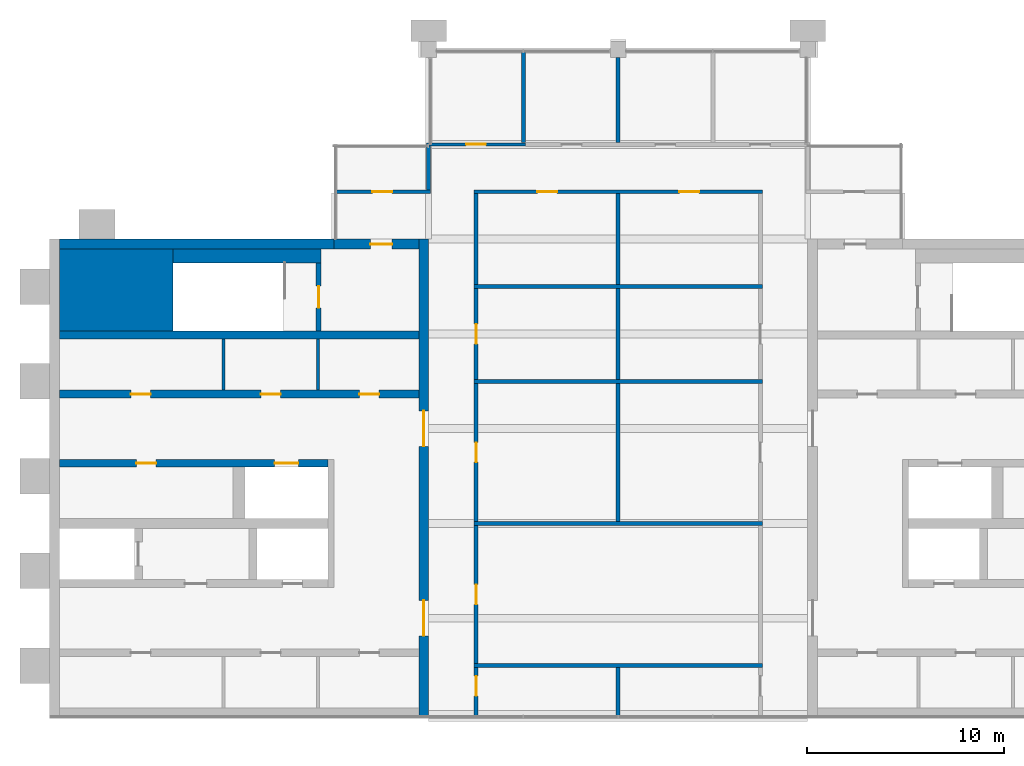
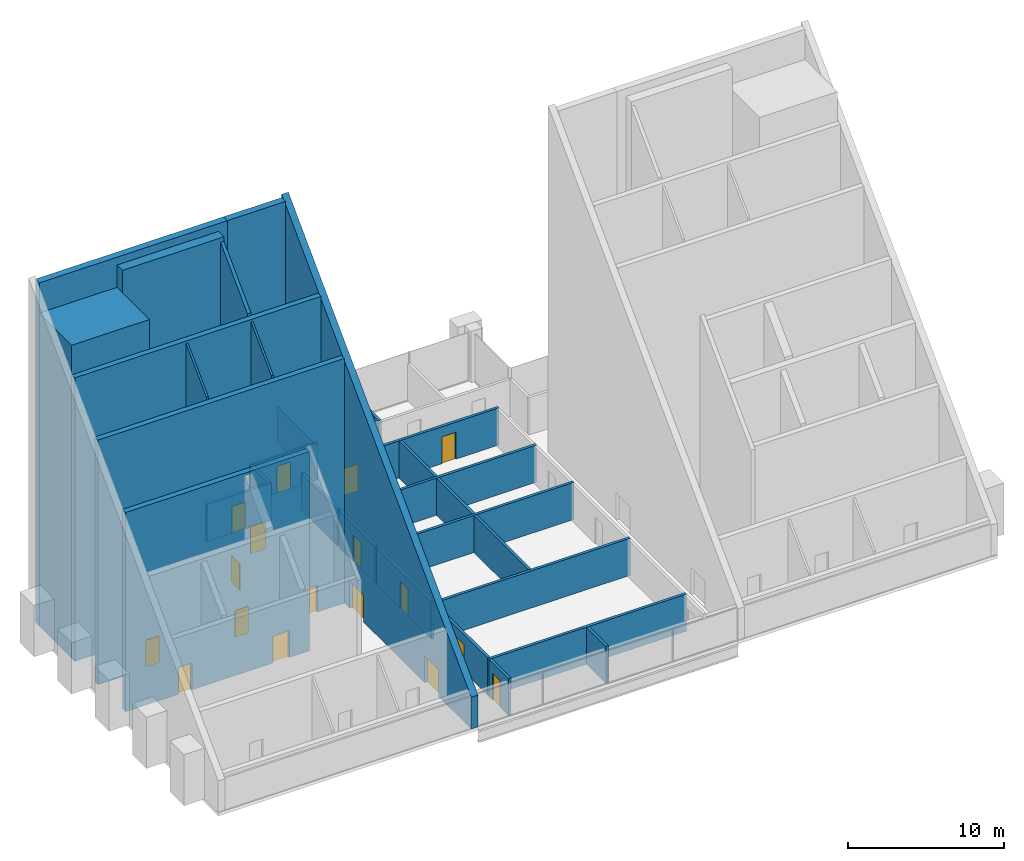
# One storey, part 9 of 12: 30 walls, 17 doors, 17 openings.
"""IFC4 building model written with IfcOpenShell, lengths in metres."""

from ifc_helpers import new_model, si_unit, direction, frame, frame_2d, origin, place, context, subcontext, project, spatial, polyline, rectangle, outline, extrude, material, layer, layer_set, type_object, element, fill, save


model = new_model("IFC4")

# Units and contexts
model_context = context("Model", 3, precision=1e-05, world=origin(), true_north=direction((0.0, 1.0)))
body_context = subcontext(model_context, "Body", "Model", "MODEL_VIEW")
ifc_project = project(units=[si_unit("LENGTHUNIT", "METRE"), si_unit("AREAUNIT", "SQUARE_METRE"), si_unit("VOLUMEUNIT", "CUBIC_METRE"), si_unit("PLANEANGLEUNIT", "RADIAN"), si_unit("MASSUNIT", "GRAM", prefix="KILO")], contexts=[model_context])

# Site, building, storey
site_placement = place(None, origin())
site = spatial("IfcSite", under=ifc_project, at=site_placement, CompositionType="ELEMENT")
building_placement = place(site_placement, origin())
building = spatial("IfcBuilding", under=site, at=building_placement, Name="Baori Bourse Tower", CompositionType="ELEMENT")
storey_placement = place(building_placement, frame((0.0, 0.0, 374.300048828125)))
storey = spatial("IfcBuildingStorey", under=building, at=storey_placement, Name="L84", CompositionType="ELEMENT", Elevation=374.300048828125)

# Walls
ifc_material_1 = material(Name="Concrete f'c 40 MPa", Category="concrete")
wall_type_1 = type_object("IfcWallType", Name="Core corner block f'c 40", PredefinedType="SHEAR", material=ifc_material_1)
wall_1_placement = place(storey_placement, frame((0.5, 35.824951171875, 0.0), z_axis=(0.0, 0.0, 1.0), x_axis=(1.0, 0.0, 0.0)))
element("IfcWall", 1, at=wall_1_placement, inside=storey, type_object=wall_type_1, Name="Core wall W19", PredefinedType="SHEAR", context=body_context, shape_type="SweptSolid", body=[
    extrude(outline(polyline([(0.0, 0.0), (5.75, 0.0), (5.75, 24.460205078125), (0.0, 24.460205078125), (0.0, 0.0)])), frame((0.0, 2.074951171875, 0.0), z_axis=(0.0, -1.0, 0.0), x_axis=(1.0, 0.0, 0.0)), (0.0, 0.0, 1.0), 4.14990234375),
])
ifc_material_2 = material(Name="Blockwork partition", Category="masonry")
ifc_layer_1 = layer(ifc_material_2, 0.14990234375)
ifc_layer_set_1 = layer_set([ifc_layer_1], Name="Core partition 150")
wall_type_2 = type_object("IfcWallType", Name="Core partition 150", PredefinedType="PARTITIONING", material=ifc_layer_set_1)
for number, where, z_axis, x_axis, name in (
    (2, (8.800048828125, 30.75, 0.0), (0.0, 0.0, 1.0), (0.0, 1.0, 0.0), "Partition wall W16"),
    (3, (13.60009765625, 30.75, 0.0), (0.0, 0.0, 1.0), (0.0, 1.0, 0.0), "Partition wall W17"),
):
    element("IfcWall", number, at=place(storey_placement, frame(where, z_axis=z_axis, x_axis=x_axis)), inside=storey, type_object=wall_type_2, Name=name, PredefinedType="PARTITIONING", context=body_context, shape_type="SweptSolid", body=[
        extrude(outline(polyline([(0.0, 0.0), (2.60009765625, 0.0), (2.60009765625, 21.954345703125), (0.0, 19.32177734375), (0.0, 0.0)])), frame((0.0, 0.074951171875, 0.0), z_axis=(0.0, -1.0, 0.0), x_axis=(1.0, 0.0, 0.0)), (0.0, 0.0, 1.0), 0.14990234375),
    ])

# Wall, openings, doors
ifc_material_3 = material(Name="Concrete f'c 40 MPa", Category="concrete")
ifc_layer_2 = layer(ifc_material_3, 0.5)
ifc_layer_set_2 = layer_set([ifc_layer_2], Name="Core wall 500 f'c 40")
wall_type_3 = type_object("IfcWallType", Name="Core wall 500 f'c 40", PredefinedType="SHEAR", material=ifc_layer_set_2)
wall_2_placement = place(storey_placement, frame((18.949951171875, 38.39990234375, 0.0), z_axis=(0.0, 0.0, 1.0), x_axis=(0.0, -1.0, 0.0)))
wall_2 = element("IfcWall", 4, at=wall_2_placement, inside=storey, type_object=wall_type_3, Name="Core wall W03", PredefinedType="SHEAR", context=body_context, shape_type="SweptSolid", body=[
    extrude(outline(polyline([(0.0, 0.0), (24.2763671875, 0.0), (24.276611328125, 2.487548828125), (0.0, 27.0673828125), (0.0, 0.0)])), frame((0.0, 0.25, 0.0), z_axis=(0.0, -1.0, 0.0), x_axis=(1.0, 0.0, 0.0)), (0.0, 0.0, 1.0), 0.5),
])
opening_1_placement = place(wall_2_placement, frame((18.300048828125, 0.0, 0.0)))
opening_1 = element("IfcOpeningElement", 5, at=opening_1_placement, cuts=wall_2, Name="Opening L84-D105", PredefinedType="OPENING", context=body_context, shape_type="SweptSolid", body=[
    extrude(rectangle(XDim=1.800048828125, YDim=2.10009765625, at=frame_2d((0.89990234375, 1.050048828125))), frame((0.0, 0.260009765625, 0.0), z_axis=(0.0, -1.0, 0.0), x_axis=(1.0, 0.0, 0.0)), (0.0, 0.0, 1.0), 0.52001953125),
])
opening_2_placement = place(wall_2_placement, frame((8.699951171875, 0.0, 0.0)))
opening_2 = element("IfcOpeningElement", 6, at=opening_2_placement, cuts=wall_2, Name="Opening L84-D106", PredefinedType="OPENING", context=body_context, shape_type="SweptSolid", body=[
    extrude(rectangle(XDim=1.800048828125, YDim=2.10009765625, at=frame_2d((0.89990234375, 1.050048828125))), frame((0.0, 0.260009765625, 0.0), z_axis=(0.0, -1.0, 0.0), x_axis=(1.0, 0.0, 0.0)), (0.0, 0.0, 1.0), 0.52001953125),
])
ifc_material_4 = material(Name="Painted steel door", Category="steel")
door_type_1 = type_object("IfcDoorType", Name="Core lobby door 1800", OperationType="DOUBLE_DOOR_SINGLE_SWING", PredefinedType="DOOR", material=ifc_material_4)
door_1_placement = place(opening_1_placement, origin())
door_1 = element("IfcDoor", 7, at=door_1_placement, inside=storey, type_object=door_type_1, Name="Lobby door W L84", OperationType="DOUBLE_DOOR_SINGLE_SWING", OverallHeight=2.10009765625, OverallWidth=1.800048828125, PredefinedType="DOOR", context=body_context, shape_type="SweptSolid", body=[
    extrude(rectangle(XDim=1.800048828125, YDim=2.10009765625, at=frame_2d((0.89990234375, 1.050048828125))), frame((0.0, 0.02490234375, 0.0), z_axis=(0.0, -1.0, 0.0), x_axis=(1.0, 0.0, 0.0)), (0.0, 0.0, 1.0), 0.050048828125),
])
fill(opening_1, door_1)
door_2_placement = place(opening_2_placement, origin())
door_2 = element("IfcDoor", 8, at=door_2_placement, inside=storey, type_object=door_type_1, Name="Lobby door W L84", OperationType="DOUBLE_DOOR_SINGLE_SWING", OverallHeight=2.10009765625, OverallWidth=1.800048828125, PredefinedType="DOOR", context=body_context, shape_type="SweptSolid", body=[
    extrude(rectangle(XDim=1.800048828125, YDim=2.10009765625, at=frame_2d((0.89990234375, 1.050048828125))), frame((0.0, 0.02490234375, 0.0), z_axis=(0.0, -1.0, 0.0), x_axis=(1.0, 0.0, 0.0)), (0.0, 0.0, 1.0), 0.050048828125),
])
fill(opening_2, door_2)

# Wall
wall_3_placement = place(storey_placement, frame((0.5, 38.14990234375, 0.0), z_axis=(0.0, 0.0, 1.0), x_axis=(1.0, 0.0, 0.0)))
element("IfcWall", 9, at=wall_3_placement, inside=storey, type_object=wall_type_3, Name="Core wall W22", PredefinedType="SHEAR", context=body_context, shape_type="SweptSolid", body=[
    extrude(outline(polyline([(0.0, 0.0), (13.89990234375, 0.0), (13.89990234375, 26.814208984375), (0.0, 26.814208984375), (0.0, 0.0)])), frame((0.0, 0.25, 0.0), z_axis=(0.0, -1.0, 0.0), x_axis=(1.0, 0.0, 0.0)), (0.0, 0.0, 1.0), 0.5),
])

# Wall, opening, door
wall_4_placement = place(storey_placement, frame((14.39990234375, 38.14990234375, 0.0), z_axis=(0.0, 0.0, 1.0), x_axis=(1.0, 0.0, 0.0)))
wall_4 = element("IfcWall", 10, at=wall_4_placement, inside=storey, type_object=wall_type_3, Name="Core wall W23", PredefinedType="SHEAR", context=body_context, shape_type="SweptSolid", body=[
    extrude(outline(polyline([(0.0, 0.0), (4.300048828125, 0.0), (4.300048828125, 26.814208984375), (0.0, 26.814208984375), (0.0, 0.0)])), frame((0.0, 0.25, 0.0), z_axis=(0.0, -1.0, 0.0), x_axis=(1.0, 0.0, 0.0)), (0.0, 0.0, 1.0), 0.5),
])
opening_3_placement = place(wall_4_placement, frame((1.85009765625, 0.0, 0.0)))
opening_3 = element("IfcOpeningElement", 11, at=opening_3_placement, cuts=wall_4, Name="Opening L84-D102", PredefinedType="OPENING", context=body_context, shape_type="SweptSolid", body=[
    extrude(rectangle(XDim=1.10009765625, YDim=2.10009765625, at=frame_2d((0.550048828125, 1.050048828125))), frame((0.0, 0.260009765625, 0.0), z_axis=(0.0, -1.0, 0.0), x_axis=(1.0, 0.0, 0.0)), (0.0, 0.0, 1.0), 0.52001953125),
])
ifc_material_5 = material(Name="Painted steel door", Category="steel")
door_type_2 = type_object("IfcDoorType", Name="Stair door 1100", OperationType="SINGLE_SWING_LEFT", PredefinedType="DOOR", material=ifc_material_5)
door_3_placement = place(opening_3_placement, origin())
door_3 = element("IfcDoor", 12, at=door_3_placement, inside=storey, type_object=door_type_2, Name="Stair vestibule door B W L84", OperationType="SINGLE_SWING_LEFT", OverallHeight=2.10009765625, OverallWidth=1.10009765625, PredefinedType="DOOR", context=body_context, shape_type="SweptSolid", body=[
    extrude(rectangle(XDim=1.10009765625, YDim=2.10009765625, at=frame_2d((0.550048828125, 1.050048828125))), frame((0.0, 0.02490234375, 0.0), z_axis=(0.0, -1.0, 0.0), x_axis=(1.0, 0.0, 0.0)), (0.0, 0.0, 1.0), 0.050048828125),
])
fill(opening_3, door_3)

ifc_material_6 = material(Name="Gypsum board partition")
ifc_layer_3 = layer(ifc_material_6, 0.14990234375)
ifc_layer_set_3 = layer_set([ifc_layer_3], Name="Corridor partition 150")
wall_type_4 = type_object("IfcWallType", Name="Corridor partition 150", PredefinedType="PARTITIONING", material=ifc_layer_set_3)
wall_5_placement = place(storey_placement, frame((19.10009765625, 43.199951171875, 0.0), z_axis=(0.0, 0.0, 1.0), x_axis=(1.0, 0.0, 0.0)))
wall_5 = element("IfcWall", 13, at=wall_5_placement, inside=storey, type_object=wall_type_4, Name="Partition", PredefinedType="PARTITIONING", context=body_context, shape_type="SweptSolid", body=[
    extrude(rectangle(XDim=5.0, YDim=0.14990234375, at=frame_2d((2.5, 0.0))), origin(), (0.0, 0.0, 1.0), 2.89990234375),
])
opening_4_placement = place(wall_5_placement, frame((2.0, 0.0, 0.0)))
opening_4 = element("IfcOpeningElement", 14, at=opening_4_placement, cuts=wall_5, Name="Opening L84-D05", PredefinedType="OPENING", context=body_context, shape_type="SweptSolid", body=[
    extrude(rectangle(XDim=1.0, YDim=2.10009765625, at=frame_2d((0.5, 1.050048828125))), frame((0.0, 0.0849609375, 0.0), z_axis=(0.0, -1.0, 0.0), x_axis=(1.0, 0.0, 0.0)), (0.0, 0.0, 1.0), 0.169921875),
])
ifc_material_7 = material(Name="Timber door leaf", Category="wood")
door_type_3 = type_object("IfcDoorType", Name="Door 1000 x 2100", OperationType="SINGLE_SWING_LEFT", PredefinedType="DOOR", material=ifc_material_7)
door_4_placement = place(opening_4_placement, origin())
door_4 = element("IfcDoor", 15, at=door_4_placement, inside=storey, type_object=door_type_3, Name="Door", OperationType="SINGLE_SWING_RIGHT", OverallHeight=2.10009765625, OverallWidth=1.0, PredefinedType="DOOR", context=body_context, shape_type="SweptSolid", body=[
    extrude(rectangle(XDim=1.0, YDim=2.10009765625, at=frame_2d((0.5, 1.050048828125))), frame((0.0, 0.02490234375, 0.0), z_axis=(0.0, -1.0, 0.0), x_axis=(1.0, 0.0, 0.0)), (0.0, 0.0, 1.0), 0.050048828125),
])
fill(opening_4, door_4)

# Walls
ifc_material_8 = material(Name="Gypsum board partition")
ifc_layer_4 = layer(ifc_material_8, 0.199951171875)
ifc_layer_set_4 = layer_set([ifc_layer_4], Name="Plant room wall 200")
wall_type_5 = type_object("IfcWallType", Name="Plant room wall 200", PredefinedType="PARTITIONING", material=ifc_layer_set_4)
for number, where, z_axis, x_axis, name in (
    (16, (21.5, 16.800048828125, 0.0), (0.0, 0.0, 1.0), (1.0, 0.0, 0.0), "Partition"),
    (17, (21.5, 24.0, 0.0), (0.0, 0.0, 1.0), (1.0, 0.0, 0.0), "Partition"),
    (18, (21.5, 31.199951171875, 0.0), (0.0, 0.0, 1.0), (1.0, 0.0, 0.0), "Partition"),
    (19, (21.5, 36.0, 0.0), (0.0, 0.0, 1.0), (1.0, 0.0, 0.0), "Partition"),
):
    element("IfcWall", number, at=place(storey_placement, frame(where, z_axis=z_axis, x_axis=x_axis)), inside=storey, type_object=wall_type_5, Name=name, PredefinedType="PARTITIONING", context=body_context, shape_type="SweptSolid", body=[
        extrude(rectangle(XDim=14.60009765625, YDim=0.199951171875, at=frame_2d((7.300048828125, 0.0))), origin(), (0.0, 0.0, 1.0), 2.89990234375),
    ])

# Wall, opening, door
wall_6_placement = place(storey_placement, frame((14.5, 40.800048828125, 0.0), z_axis=(0.0, 0.0, 1.0), x_axis=(1.0, 0.0, 0.0)))
wall_6 = element("IfcWall", 20, at=wall_6_placement, inside=storey, type_object=wall_type_5, Name="Partition", PredefinedType="PARTITIONING", context=body_context, shape_type="SweptSolid", body=[
    extrude(rectangle(XDim=4.800048828125, YDim=0.199951171875, at=frame_2d((2.39990234375, 0.0))), origin(), (0.0, 0.0, 1.0), 2.89990234375),
])
opening_5_placement = place(wall_6_placement, frame((1.85009765625, 0.0, 0.0)))
opening_5 = element("IfcOpeningElement", 21, at=opening_5_placement, cuts=wall_6, Name="Opening L84-D01", PredefinedType="OPENING", context=body_context, shape_type="SweptSolid", body=[
    extrude(rectangle(XDim=1.0, YDim=2.10009765625, at=frame_2d((0.5, 1.050048828125))), frame((0.0, 0.10986328125, 0.0), z_axis=(0.0, -1.0, 0.0), x_axis=(1.0, 0.0, 0.0)), (0.0, 0.0, 1.0), 0.219970703125),
])
door_5_placement = place(opening_5_placement, origin())
door_5 = element("IfcDoor", 22, at=door_5_placement, inside=storey, type_object=door_type_3, Name="Door", OperationType="SINGLE_SWING_RIGHT", OverallHeight=2.10009765625, OverallWidth=1.0, PredefinedType="DOOR", context=body_context, shape_type="SweptSolid", body=[
    extrude(rectangle(XDim=1.0, YDim=2.10009765625, at=frame_2d((0.5, 1.050048828125))), frame((0.0, 0.02490234375, 0.0), z_axis=(0.0, -1.0, 0.0), x_axis=(1.0, 0.0, 0.0)), (0.0, 0.0, 1.0), 0.050048828125),
])
fill(opening_5, door_5)

# Wall, openings, doors
wall_7_placement = place(storey_placement, frame((21.5, 40.800048828125, 0.0), z_axis=(0.0, 0.0, 1.0), x_axis=(1.0, 0.0, 0.0)))
wall_7 = element("IfcWall", 23, at=wall_7_placement, inside=storey, type_object=wall_type_5, Name="Partition", PredefinedType="PARTITIONING", context=body_context, shape_type="SweptSolid", body=[
    extrude(rectangle(XDim=14.60009765625, YDim=0.199951171875, at=frame_2d((7.300048828125, 0.0))), origin(), (0.0, 0.0, 1.0), 2.89990234375),
])
opening_6_placement = place(wall_7_placement, frame((3.199951171875, 0.0, 0.0)))
opening_6 = element("IfcOpeningElement", 24, at=opening_6_placement, cuts=wall_7, Name="Opening L84-D02", PredefinedType="OPENING", context=body_context, shape_type="SweptSolid", body=[
    extrude(rectangle(XDim=1.0, YDim=2.10009765625, at=frame_2d((0.5, 1.050048828125))), frame((0.0, 0.10986328125, 0.0), z_axis=(0.0, -1.0, 0.0), x_axis=(1.0, 0.0, 0.0)), (0.0, 0.0, 1.0), 0.219970703125),
])
opening_7_placement = place(wall_7_placement, frame((10.39990234375, 0.0, 0.0)))
opening_7 = element("IfcOpeningElement", 25, at=opening_7_placement, cuts=wall_7, Name="Opening L84-D03", PredefinedType="OPENING", context=body_context, shape_type="SweptSolid", body=[
    extrude(rectangle(XDim=1.0, YDim=2.10009765625, at=frame_2d((0.5, 1.050048828125))), frame((0.0, 0.10986328125, 0.0), z_axis=(0.0, -1.0, 0.0), x_axis=(1.0, 0.0, 0.0)), (0.0, 0.0, 1.0), 0.219970703125),
])
door_6_placement = place(opening_6_placement, origin())
door_6 = element("IfcDoor", 26, at=door_6_placement, inside=storey, type_object=door_type_3, Name="Door", OperationType="SINGLE_SWING_LEFT", OverallHeight=2.10009765625, OverallWidth=1.0, PredefinedType="DOOR", context=body_context, shape_type="SweptSolid", body=[
    extrude(rectangle(XDim=1.0, YDim=2.10009765625, at=frame_2d((0.5, 1.050048828125))), frame((0.0, 0.02490234375, 0.0), z_axis=(0.0, -1.0, 0.0), x_axis=(1.0, 0.0, 0.0)), (0.0, 0.0, 1.0), 0.050048828125),
])
fill(opening_6, door_6)
door_7_placement = place(opening_7_placement, origin())
door_7 = element("IfcDoor", 27, at=door_7_placement, inside=storey, type_object=door_type_3, Name="Door", OperationType="SINGLE_SWING_RIGHT", OverallHeight=2.10009765625, OverallWidth=1.0, PredefinedType="DOOR", context=body_context, shape_type="SweptSolid", body=[
    extrude(rectangle(XDim=1.0, YDim=2.10009765625, at=frame_2d((0.5, 1.050048828125))), frame((0.0, 0.02490234375, 0.0), z_axis=(0.0, -1.0, 0.0), x_axis=(1.0, 0.0, 0.0)), (0.0, 0.0, 1.0), 0.050048828125),
])
fill(opening_7, door_7)

# Wall
wall_8_placement = place(storey_placement, frame((19.199951171875, 40.89990234375, 0.0), z_axis=(0.0, 0.0, 1.0), x_axis=(0.0, 1.0, 0.0)))
element("IfcWall", 28, at=wall_8_placement, inside=storey, type_object=wall_type_5, Name="Partition", PredefinedType="PARTITIONING", context=body_context, shape_type="SweptSolid", body=[
    extrude(rectangle(XDim=2.22509765625, YDim=0.199951171875, at=frame_2d((1.112548828125, 0.0))), origin(), (0.0, 0.0, 1.0), 2.89990234375),
])

# Wall, opening, door
wall_9_placement = place(storey_placement, frame((21.60009765625, 14.223388671875, 0.0), z_axis=(0.0, 0.0, 1.0), x_axis=(0.0, 1.0, 0.0)))
wall_9 = element("IfcWall", 29, at=wall_9_placement, inside=storey, type_object=wall_type_5, Name="Partition", PredefinedType="PARTITIONING", context=body_context, shape_type="SweptSolid", body=[
    extrude(rectangle(XDim=2.4765625, YDim=0.199951171875, at=frame_2d((1.23828125, 0.0))), origin(), (0.0, 0.0, 1.0), 2.89990234375),
])
opening_8_placement = place(wall_9_placement, frame((1.038330078125, 0.0, 0.0)))
opening_8 = element("IfcOpeningElement", 30, at=opening_8_placement, cuts=wall_9, Name="Opening L84-D09", PredefinedType="OPENING", context=body_context, shape_type="SweptSolid", body=[
    extrude(rectangle(XDim=1.0, YDim=2.10009765625, at=frame_2d((0.5, 1.050048828125))), frame((0.0, 0.10986328125, 0.0), z_axis=(0.0, -1.0, 0.0), x_axis=(1.0, 0.0, 0.0)), (0.0, 0.0, 1.0), 0.219970703125),
])
door_8_placement = place(opening_8_placement, origin())
door_8 = element("IfcDoor", 31, at=door_8_placement, inside=storey, type_object=door_type_3, Name="Door", OperationType="SINGLE_SWING_RIGHT", OverallHeight=2.10009765625, OverallWidth=1.0, PredefinedType="DOOR", context=body_context, shape_type="SweptSolid", body=[
    extrude(rectangle(XDim=1.0, YDim=2.10009765625, at=frame_2d((0.5, 1.050048828125))), frame((0.0, 0.02490234375, 0.0), z_axis=(0.0, -1.0, 0.0), x_axis=(1.0, 0.0, 0.0)), (0.0, 0.0, 1.0), 0.050048828125),
])
fill(opening_8, door_8)

wall_10_placement = place(storey_placement, frame((21.60009765625, 16.89990234375, 0.0), z_axis=(0.0, 0.0, 1.0), x_axis=(0.0, 1.0, 0.0)))
wall_10 = element("IfcWall", 32, at=wall_10_placement, inside=storey, type_object=wall_type_5, Name="Partition", PredefinedType="PARTITIONING", context=body_context, shape_type="SweptSolid", body=[
    extrude(rectangle(XDim=7.0, YDim=0.199951171875, at=frame_2d((3.5, 0.0))), origin(), (0.0, 0.0, 1.0), 2.89990234375),
])
opening_9_placement = place(wall_10_placement, frame((3.0, 0.0, 0.0)))
opening_9 = element("IfcOpeningElement", 33, at=opening_9_placement, cuts=wall_10, Name="Opening L84-D10", PredefinedType="OPENING", context=body_context, shape_type="SweptSolid", body=[
    extrude(rectangle(XDim=1.0, YDim=2.10009765625, at=frame_2d((0.5, 1.050048828125))), frame((0.0, 0.10986328125, 0.0), z_axis=(0.0, -1.0, 0.0), x_axis=(1.0, 0.0, 0.0)), (0.0, 0.0, 1.0), 0.219970703125),
])
door_9_placement = place(opening_9_placement, origin())
door_9 = element("IfcDoor", 34, at=door_9_placement, inside=storey, type_object=door_type_3, Name="Door", OperationType="SINGLE_SWING_LEFT", OverallHeight=2.10009765625, OverallWidth=1.0, PredefinedType="DOOR", context=body_context, shape_type="SweptSolid", body=[
    extrude(rectangle(XDim=1.0, YDim=2.10009765625, at=frame_2d((0.5, 1.050048828125))), frame((0.0, 0.02490234375, 0.0), z_axis=(0.0, -1.0, 0.0), x_axis=(1.0, 0.0, 0.0)), (0.0, 0.0, 1.0), 0.050048828125),
])
fill(opening_9, door_9)

wall_11_placement = place(storey_placement, frame((21.60009765625, 24.10009765625, 0.0), z_axis=(0.0, 0.0, 1.0), x_axis=(0.0, 1.0, 0.0)))
wall_11 = element("IfcWall", 35, at=wall_11_placement, inside=storey, type_object=wall_type_5, Name="Partition", PredefinedType="PARTITIONING", context=body_context, shape_type="SweptSolid", body=[
    extrude(rectangle(XDim=7.0, YDim=0.199951171875, at=frame_2d((3.5, 0.0))), origin(), (0.0, 0.0, 1.0), 2.89990234375),
])
opening_10_placement = place(wall_11_placement, frame((3.0, 0.0, 0.0)))
opening_10 = element("IfcOpeningElement", 36, at=opening_10_placement, cuts=wall_11, Name="Opening L84-D11", PredefinedType="OPENING", context=body_context, shape_type="SweptSolid", body=[
    extrude(rectangle(XDim=1.0, YDim=2.10009765625, at=frame_2d((0.5, 1.050048828125))), frame((0.0, 0.10986328125, 0.0), z_axis=(0.0, -1.0, 0.0), x_axis=(1.0, 0.0, 0.0)), (0.0, 0.0, 1.0), 0.219970703125),
])
door_10_placement = place(opening_10_placement, origin())
door_10 = element("IfcDoor", 37, at=door_10_placement, inside=storey, type_object=door_type_3, Name="Door", OperationType="SINGLE_SWING_LEFT", OverallHeight=2.10009765625, OverallWidth=1.0, PredefinedType="DOOR", context=body_context, shape_type="SweptSolid", body=[
    extrude(rectangle(XDim=1.0, YDim=2.10009765625, at=frame_2d((0.5, 1.050048828125))), frame((0.0, 0.02490234375, 0.0), z_axis=(0.0, -1.0, 0.0), x_axis=(1.0, 0.0, 0.0)), (0.0, 0.0, 1.0), 0.050048828125),
])
fill(opening_10, door_10)

wall_12_placement = place(storey_placement, frame((21.60009765625, 31.300048828125, 0.0), z_axis=(0.0, 0.0, 1.0), x_axis=(0.0, 1.0, 0.0)))
wall_12 = element("IfcWall", 38, at=wall_12_placement, inside=storey, type_object=wall_type_5, Name="Partition", PredefinedType="PARTITIONING", context=body_context, shape_type="SweptSolid", body=[
    extrude(rectangle(XDim=4.599853515625, YDim=0.199951171875, at=frame_2d((2.2998046875, 0.0))), origin(), (0.0, 0.0, 1.0), 2.89990234375),
])
opening_11_placement = place(wall_12_placement, frame((1.800048828125, 0.0, 0.0)))
opening_11 = element("IfcOpeningElement", 39, at=opening_11_placement, cuts=wall_12, Name="Opening L84-D12", PredefinedType="OPENING", context=body_context, shape_type="SweptSolid", body=[
    extrude(rectangle(XDim=1.0, YDim=2.10009765625, at=frame_2d((0.5, 1.050048828125))), frame((0.0, 0.10986328125, 0.0), z_axis=(0.0, -1.0, 0.0), x_axis=(1.0, 0.0, 0.0)), (0.0, 0.0, 1.0), 0.219970703125),
])
door_11_placement = place(opening_11_placement, origin())
door_11 = element("IfcDoor", 40, at=door_11_placement, inside=storey, type_object=door_type_3, Name="Door", OperationType="SINGLE_SWING_RIGHT", OverallHeight=2.10009765625, OverallWidth=1.0, PredefinedType="DOOR", context=body_context, shape_type="SweptSolid", body=[
    extrude(rectangle(XDim=1.0, YDim=2.10009765625, at=frame_2d((0.5, 1.050048828125))), frame((0.0, 0.02490234375, 0.0), z_axis=(0.0, -1.0, 0.0), x_axis=(1.0, 0.0, 0.0)), (0.0, 0.0, 1.0), 0.050048828125),
])
fill(opening_11, door_11)

# Walls
for number, where, z_axis, x_axis, name in (
    (41, (21.60009765625, 36.10009765625, 0.0), (0.0, 0.0, 1.0), (0.0, 1.0, 0.0), "Partition"),
    (42, (24.0, 43.300048828125, 0.0), (0.0, 0.0, 1.0), (0.0, 1.0, 0.0), "Partition"),
):
    element("IfcWall", number, at=place(storey_placement, frame(where, z_axis=z_axis, x_axis=x_axis)), inside=storey, type_object=wall_type_5, Name=name, PredefinedType="PARTITIONING", context=body_context, shape_type="SweptSolid", body=[
        extrude(rectangle(XDim=4.599853515625, YDim=0.199951171875, at=frame_2d((2.2998046875, 0.0))), origin(), (0.0, 0.0, 1.0), 2.89990234375),
    ])
wall_13_placement = place(storey_placement, frame((28.800048828125, 14.223388671875, 0.0), z_axis=(0.0, 0.0, 1.0), x_axis=(0.0, 1.0, 0.0)))
element("IfcWall", 43, at=wall_13_placement, inside=storey, type_object=wall_type_5, Name="Partition", PredefinedType="PARTITIONING", context=body_context, shape_type="SweptSolid", body=[
    extrude(rectangle(XDim=2.4765625, YDim=0.199951171875, at=frame_2d((1.23828125, 0.0))), origin(), (0.0, 0.0, 1.0), 2.89990234375),
])
wall_14_placement = place(storey_placement, frame((28.800048828125, 24.10009765625, 0.0), z_axis=(0.0, 0.0, 1.0), x_axis=(0.0, 1.0, 0.0)))
element("IfcWall", 44, at=wall_14_placement, inside=storey, type_object=wall_type_5, Name="Partition", PredefinedType="PARTITIONING", context=body_context, shape_type="SweptSolid", body=[
    extrude(rectangle(XDim=7.0, YDim=0.199951171875, at=frame_2d((3.5, 0.0))), origin(), (0.0, 0.0, 1.0), 2.89990234375),
])
for number, where, z_axis, x_axis, name in (
    (45, (28.800048828125, 31.300048828125, 0.0), (0.0, 0.0, 1.0), (0.0, 1.0, 0.0), "Partition"),
    (46, (28.800048828125, 36.10009765625, 0.0), (0.0, 0.0, 1.0), (0.0, 1.0, 0.0), "Partition"),
):
    element("IfcWall", number, at=place(storey_placement, frame(where, z_axis=z_axis, x_axis=x_axis)), inside=storey, type_object=wall_type_5, Name=name, PredefinedType="PARTITIONING", context=body_context, shape_type="SweptSolid", body=[
        extrude(rectangle(XDim=4.599853515625, YDim=0.199951171875, at=frame_2d((2.2998046875, 0.0))), origin(), (0.0, 0.0, 1.0), 2.89990234375),
    ])
wall_15_placement = place(storey_placement, frame((28.800048828125, 43.300048828125, 0.0), z_axis=(0.0, 0.0, 1.0), x_axis=(0.0, 1.0, 0.0)))
element("IfcWall", 47, at=wall_15_placement, inside=storey, type_object=wall_type_5, Name="Partition", PredefinedType="PARTITIONING", context=body_context, shape_type="SweptSolid", body=[
    extrude(rectangle(XDim=4.300048828125, YDim=0.199951171875, at=frame_2d((2.14990234375, 0.0))), origin(), (0.0, 0.0, 1.0), 2.89990234375),
])

# Wall, opening, door
ifc_material_9 = material(Name="Concrete f'c 40 MPa", Category="concrete")
ifc_layer_5 = layer(ifc_material_9, 0.25)
ifc_layer_set_5 = layer_set([ifc_layer_5], Name="Shaft wall 250 f'c 40")
wall_type_6 = type_object("IfcWallType", Name="Shaft wall 250 f'c 40", PredefinedType="SHEAR", material=ifc_layer_set_5)
wall_16_placement = place(storey_placement, frame((13.625, 33.75, 0.0), z_axis=(0.0, 0.0, 1.0), x_axis=(0.0, 1.0, 0.0)))
wall_16 = element("IfcWall", 48, at=wall_16_placement, inside=storey, type_object=wall_type_6, Name="Core wall W20", PredefinedType="SHEAR", context=body_context, shape_type="SweptSolid", body=[
    extrude(outline(polyline([(0.0, 0.0), (3.449951171875, 0.0), (3.449951171875, 25.8525390625), (0.0, 22.359375), (0.0, 0.0)])), frame((0.0, 0.125, 0.0), z_axis=(0.0, -1.0, 0.0), x_axis=(1.0, 0.0, 0.0)), (0.0, 0.0, 1.0), 0.25),
])
opening_12_placement = place(wall_16_placement, frame((1.175048828125, 0.0, 0.0)))
opening_12 = element("IfcOpeningElement", 49, at=opening_12_placement, cuts=wall_16, Name="Opening L84-D101", PredefinedType="OPENING", context=body_context, shape_type="SweptSolid", body=[
    extrude(rectangle(XDim=1.10009765625, YDim=2.10009765625, at=frame_2d((0.550048828125, 1.050048828125))), frame((0.0, 0.135009765625, 0.0), z_axis=(0.0, -1.0, 0.0), x_axis=(1.0, 0.0, 0.0)), (0.0, 0.0, 1.0), 0.27001953125),
])
door_12_placement = place(opening_12_placement, origin())
door_12 = element("IfcDoor", 50, at=door_12_placement, inside=storey, type_object=door_type_2, Name="Stair door B W L84", OperationType="SINGLE_SWING_LEFT", OverallHeight=2.10009765625, OverallWidth=1.10009765625, PredefinedType="DOOR", context=body_context, shape_type="SweptSolid", body=[
    extrude(rectangle(XDim=1.10009765625, YDim=2.10009765625, at=frame_2d((0.550048828125, 1.050048828125))), frame((0.0, 0.02490234375, 0.0), z_axis=(0.0, -1.0, 0.0), x_axis=(1.0, 0.0, 0.0)), (0.0, 0.0, 1.0), 0.050048828125),
])
fill(opening_12, door_12)

# Wall, openings, doors
ifc_material_10 = material(Name="Concrete f'c 40 MPa", Category="concrete")
ifc_layer_6 = layer(ifc_material_10, 0.39990234375)
ifc_layer_set_6 = layer_set([ifc_layer_6], Name="Shaft wall 400 f'c 40")
wall_type_7 = type_object("IfcWallType", Name="Shaft wall 400 f'c 40", PredefinedType="SHEAR", material=ifc_layer_set_6)
wall_17_placement = place(storey_placement, frame((0.5, 27.050048828125, 0.0), z_axis=(0.0, 0.0, 1.0), x_axis=(1.0, 0.0, 0.0)))
wall_17 = element("IfcWall", 51, at=wall_17_placement, inside=storey, type_object=wall_type_7, Name="Core wall W14", PredefinedType="SHEAR", context=body_context, shape_type="SweptSolid", body=[
    extrude(outline(polyline([(0.0, 0.0), (13.60009765625, 0.0), (13.60009765625, 15.57568359375), (0.0, 15.57568359375), (0.0, 0.0)])), frame((0.0, 0.199951171875, 0.0), z_axis=(0.0, -1.0, 0.0), x_axis=(1.0, 0.0, 0.0)), (0.0, 0.0, 1.0), 0.39990234375),
])
opening_13_placement = place(wall_17_placement, frame((3.89990234375, 0.0, 0.0)))
opening_13 = element("IfcOpeningElement", 52, at=opening_13_placement, cuts=wall_17, Name="Opening L84-D113", PredefinedType="OPENING", context=body_context, shape_type="SweptSolid", body=[
    extrude(rectangle(XDim=1.0, YDim=2.10009765625, at=frame_2d((0.5, 1.050048828125))), frame((0.0, 0.2099609375, 0.0), z_axis=(0.0, -1.0, 0.0), x_axis=(1.0, 0.0, 0.0)), (0.0, 0.0, 1.0), 0.419921875),
])
opening_14_placement = place(wall_17_placement, frame((10.89990234375, 0.0, 0.0)))
opening_14 = element("IfcOpeningElement", 53, at=opening_14_placement, cuts=wall_17, Name="Opening L84-D114", PredefinedType="OPENING", context=body_context, shape_type="SweptSolid", body=[
    extrude(rectangle(XDim=1.199951171875, YDim=2.10009765625, at=frame_2d((0.60009765625, 1.050048828125))), frame((0.0, 0.2099609375, 0.0), z_axis=(0.0, -1.0, 0.0), x_axis=(1.0, 0.0, 0.0)), (0.0, 0.0, 1.0), 0.419921875),
])
ifc_material_11 = material(Name="Stainless steel door", Category="steel")
door_type_4 = type_object("IfcDoorType", Name="Lift landing door", OperationType="DOUBLE_DOOR_SLIDING", PredefinedType="DOOR", material=ifc_material_11)
door_13_placement = place(opening_14_placement, origin())
door_13 = element("IfcDoor", 54, at=door_13_placement, inside=storey, type_object=door_type_4, Name="Lift landing door SV1 W L84", OperationType="DOUBLE_DOOR_SLIDING", OverallHeight=2.10009765625, OverallWidth=1.199951171875, PredefinedType="DOOR", context=body_context, shape_type="SweptSolid", body=[
    extrude(rectangle(XDim=1.199951171875, YDim=2.10009765625, at=frame_2d((0.60009765625, 1.050048828125))), frame((0.0, 0.02490234375, 0.0), z_axis=(0.0, -1.0, 0.0), x_axis=(1.0, 0.0, 0.0)), (0.0, 0.0, 1.0), 0.050048828125),
])
fill(opening_14, door_13)
ifc_material_12 = material(Name="Painted steel door", Category="steel")
door_type_5 = type_object("IfcDoorType", Name="Plant room door 1000", OperationType="SINGLE_SWING_LEFT", PredefinedType="DOOR", material=ifc_material_12)
door_14_placement = place(opening_13_placement, origin())
door_14 = element("IfcDoor", 55, at=door_14_placement, inside=storey, type_object=door_type_5, Name="Plant Room door W L84", OperationType="SINGLE_SWING_LEFT", OverallHeight=2.10009765625, OverallWidth=1.0, PredefinedType="DOOR", context=body_context, shape_type="SweptSolid", body=[
    extrude(rectangle(XDim=1.0, YDim=2.10009765625, at=frame_2d((0.5, 1.050048828125))), frame((0.0, 0.02490234375, 0.0), z_axis=(0.0, -1.0, 0.0), x_axis=(1.0, 0.0, 0.0)), (0.0, 0.0, 1.0), 0.050048828125),
])
fill(opening_13, door_14)

wall_18_placement = place(storey_placement, frame((0.5, 30.550048828125, 0.0), z_axis=(0.0, 0.0, 1.0), x_axis=(1.0, 0.0, 0.0)))
wall_18 = element("IfcWall", 56, at=wall_18_placement, inside=storey, type_object=wall_type_7, Name="Core wall W15", PredefinedType="SHEAR", context=body_context, shape_type="SweptSolid", body=[
    extrude(outline(polyline([(0.0, 0.0), (18.199951171875, 0.0), (18.199951171875, 19.119384765625), (0.0, 19.119384765625), (0.0, 0.0)])), frame((0.0, 0.199951171875, 0.0), z_axis=(0.0, -1.0, 0.0), x_axis=(1.0, 0.0, 0.0)), (0.0, 0.0, 1.0), 0.39990234375),
])
opening_15_placement = place(wall_18_placement, frame((3.612548828125, 0.0, 0.0)))
opening_15 = element("IfcOpeningElement", 57, at=opening_15_placement, cuts=wall_18, Name="Opening L84-D107", PredefinedType="OPENING", context=body_context, shape_type="SweptSolid", body=[
    extrude(rectangle(XDim=1.0, YDim=2.10009765625, at=frame_2d((0.5, 1.050048828125))), frame((0.0, 0.2099609375, 0.0), z_axis=(0.0, -1.0, 0.0), x_axis=(1.0, 0.0, 0.0)), (0.0, 0.0, 1.0), 0.419921875),
])
opening_16_placement = place(wall_18_placement, frame((10.199951171875, 0.0, 0.0)))
opening_16 = element("IfcOpeningElement", 58, at=opening_16_placement, cuts=wall_18, Name="Opening L84-D108", PredefinedType="OPENING", context=body_context, shape_type="SweptSolid", body=[
    extrude(rectangle(XDim=1.0, YDim=2.10009765625, at=frame_2d((0.5, 1.050048828125))), frame((0.0, 0.2099609375, 0.0), z_axis=(0.0, -1.0, 0.0), x_axis=(1.0, 0.0, 0.0)), (0.0, 0.0, 1.0), 0.419921875),
])
opening_17_placement = place(wall_18_placement, frame((15.1875, 0.0, 0.0)))
opening_17 = element("IfcOpeningElement", 59, at=opening_17_placement, cuts=wall_18, Name="Opening L84-D109", PredefinedType="OPENING", context=body_context, shape_type="SweptSolid", body=[
    extrude(rectangle(XDim=1.0, YDim=2.10009765625, at=frame_2d((0.5, 1.050048828125))), frame((0.0, 0.2099609375, 0.0), z_axis=(0.0, -1.0, 0.0), x_axis=(1.0, 0.0, 0.0)), (0.0, 0.0, 1.0), 0.419921875),
])
door_15_placement = place(opening_15_placement, origin())
door_15 = element("IfcDoor", 60, at=door_15_placement, inside=storey, type_object=door_type_5, Name="Air Handling Fan Room door W L84", OperationType="SINGLE_SWING_LEFT", OverallHeight=2.10009765625, OverallWidth=1.0, PredefinedType="DOOR", context=body_context, shape_type="SweptSolid", body=[
    extrude(rectangle(XDim=1.0, YDim=2.10009765625, at=frame_2d((0.5, 1.050048828125))), frame((0.0, 0.02490234375, 0.0), z_axis=(0.0, -1.0, 0.0), x_axis=(1.0, 0.0, 0.0)), (0.0, 0.0, 1.0), 0.050048828125),
])
fill(opening_15, door_15)
door_16_placement = place(opening_16_placement, origin())
door_16 = element("IfcDoor", 61, at=door_16_placement, inside=storey, type_object=door_type_5, Name="Electrical Room door W L84", OperationType="SINGLE_SWING_LEFT", OverallHeight=2.10009765625, OverallWidth=1.0, PredefinedType="DOOR", context=body_context, shape_type="SweptSolid", body=[
    extrude(rectangle(XDim=1.0, YDim=2.10009765625, at=frame_2d((0.5, 1.050048828125))), frame((0.0, 0.02490234375, 0.0), z_axis=(0.0, -1.0, 0.0), x_axis=(1.0, 0.0, 0.0)), (0.0, 0.0, 1.0), 0.050048828125),
])
fill(opening_16, door_16)
door_17_placement = place(opening_17_placement, origin())
door_17 = element("IfcDoor", 62, at=door_17_placement, inside=storey, type_object=door_type_5, Name="Mechanical Room door W L84", OperationType="SINGLE_SWING_LEFT", OverallHeight=2.10009765625, OverallWidth=1.0, PredefinedType="DOOR", context=body_context, shape_type="SweptSolid", body=[
    extrude(rectangle(XDim=1.0, YDim=2.10009765625, at=frame_2d((0.5, 1.050048828125))), frame((0.0, 0.02490234375, 0.0), z_axis=(0.0, -1.0, 0.0), x_axis=(1.0, 0.0, 0.0)), (0.0, 0.0, 1.0), 0.050048828125),
])
fill(opening_17, door_17)

# Walls
wall_19_placement = place(storey_placement, frame((0.5, 33.550048828125, 0.0), z_axis=(0.0, 0.0, 1.0), x_axis=(1.0, 0.0, 0.0)))
element("IfcWall", 63, at=wall_19_placement, inside=storey, type_object=wall_type_7, Name="Core wall W18", PredefinedType="SHEAR", context=body_context, shape_type="SweptSolid", body=[
    extrude(outline(polyline([(0.0, 0.0), (18.199951171875, 0.0), (18.199951171875, 22.15673828125), (0.0, 22.15673828125), (0.0, 0.0)])), frame((0.0, 0.199951171875, 0.0), z_axis=(0.0, -1.0, 0.0), x_axis=(1.0, 0.0, 0.0)), (0.0, 0.0, 1.0), 0.39990234375),
])
ifc_material_13 = material(Name="Concrete f'c 40 MPa", Category="concrete")
ifc_layer_7 = layer(ifc_material_13, 0.699951171875)
ifc_layer_set_7 = layer_set([ifc_layer_7], Name="Shaft wall 700 f'c 40")
wall_type_8 = type_object("IfcWallType", Name="Shaft wall 700 f'c 40", PredefinedType="SHEAR", material=ifc_layer_set_7)
wall_20_placement = place(storey_placement, frame((6.25, 37.550048828125, 0.0), z_axis=(0.0, 0.0, 1.0), x_axis=(1.0, 0.0, 0.0)))
element("IfcWall", 64, at=wall_20_placement, inside=storey, type_object=wall_type_8, Name="Core wall W21", PredefinedType="SHEAR", context=body_context, shape_type="SweptSolid", body=[
    extrude(outline(polyline([(0.0, 0.0), (7.5, 0.0), (7.5, 26.206787109375), (0.0, 26.206787109375), (0.0, 0.0)])), frame((0.0, 0.35009765625, 0.0), z_axis=(0.0, -1.0, 0.0), x_axis=(1.0, 0.0, 0.0)), (0.0, 0.0, 1.0), 0.699951171875),
])

save(model, "model.ifc")
